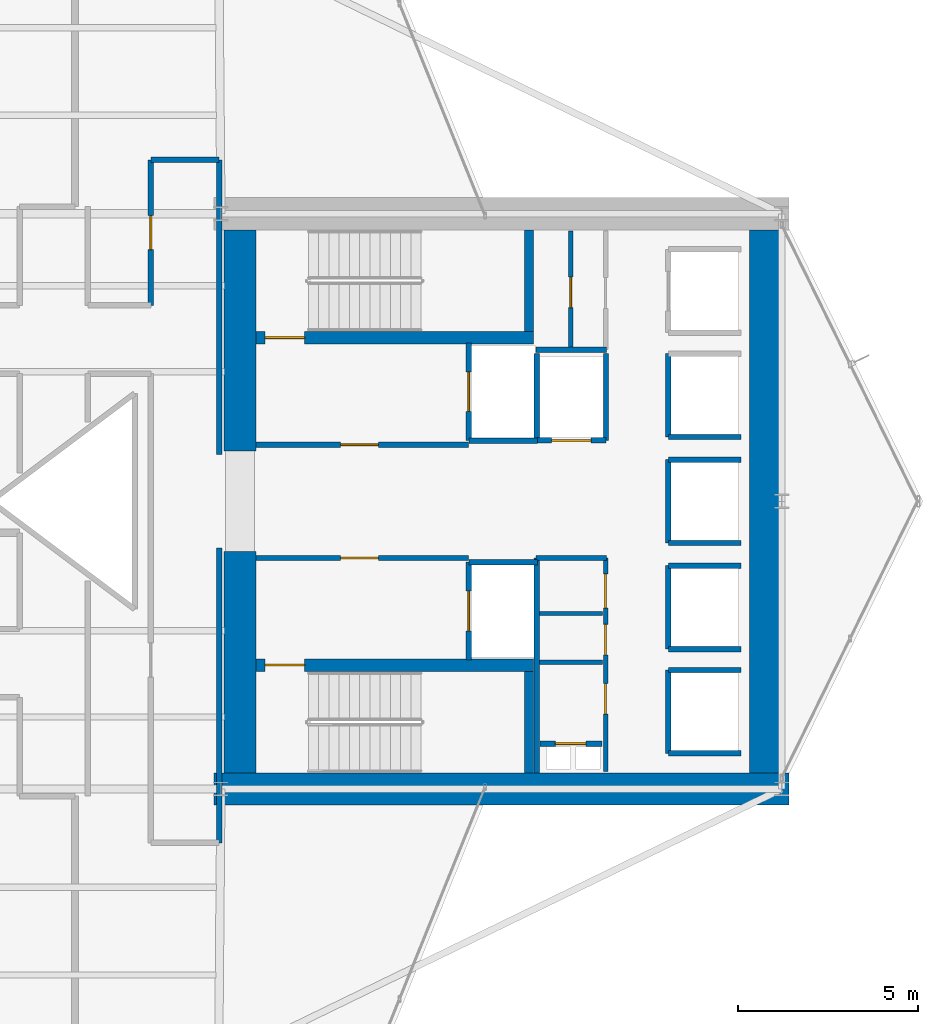
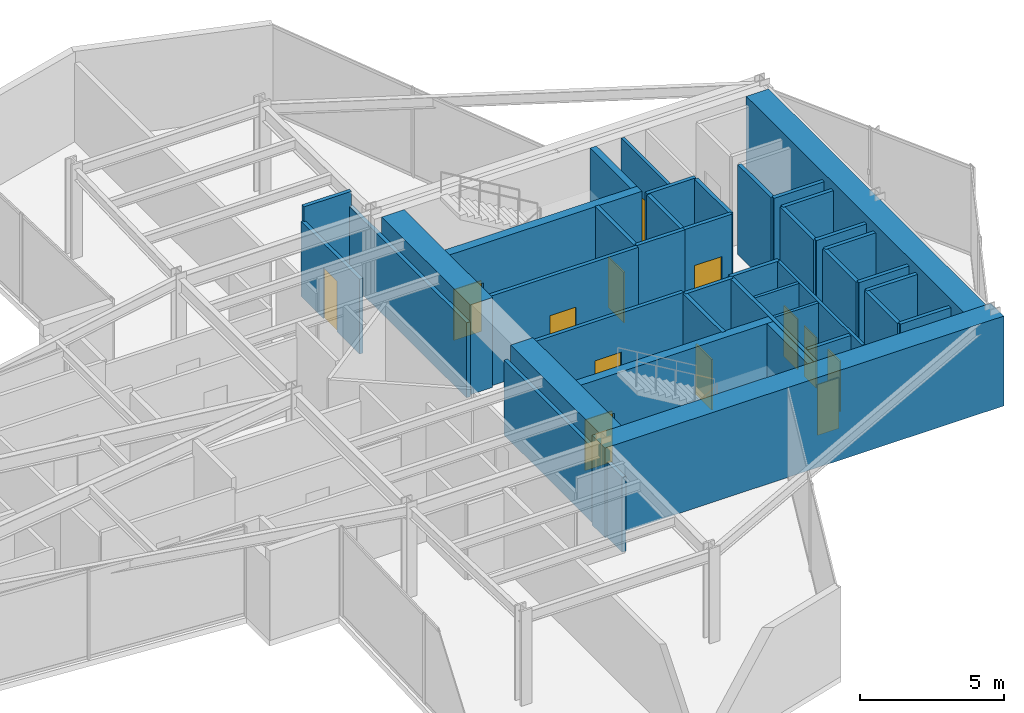
# One storey, part 28 of 30: 40 walls, 13 doors, 13 openings.
"""IFC4 building model written with IfcOpenShell, lengths in metres."""

from ifc_helpers import new_model, si_unit, direction, frame, frame_2d, origin, place, context, subcontext, project, spatial, rectangle, extrude, material, layer, layer_set, type_object, element, fill, save


model = new_model("IFC4")

# Units and contexts
model_context = context("Model", 3, precision=1e-05, world=origin(), true_north=direction((0.0, 1.0)))
body_context = subcontext(model_context, "Body", "Model", "MODEL_VIEW")
ifc_project = project(units=[si_unit("LENGTHUNIT", "METRE"), si_unit("AREAUNIT", "SQUARE_METRE"), si_unit("VOLUMEUNIT", "CUBIC_METRE"), si_unit("PLANEANGLEUNIT", "RADIAN"), si_unit("MASSUNIT", "GRAM", prefix="KILO")], contexts=[model_context])

# Site, building, storey
site_placement = place(None, origin())
site = spatial("IfcSite", under=ifc_project, at=site_placement, CompositionType="ELEMENT")
building_placement = place(site_placement, origin())
building = spatial("IfcBuilding", under=site, at=building_placement, Name="Veymaron Broadcast Tower", CompositionType="ELEMENT")
storey_placement = place(building_placement, frame((0.0, 0.0, 66.14990234375)))
storey = spatial("IfcBuildingStorey", under=building, at=storey_placement, Name="L14", CompositionType="ELEMENT", Elevation=66.14990234375)

# Wall, opening, door
ifc_material_1 = material(Name="Gypsum fireboard and steel stud framing", Category="steel")
ifc_layer_1 = layer(ifc_material_1, 0.14990234375)
ifc_layer_set_1 = layer_set([ifc_layer_1], Name="Gypsum fireboard and steel stud framing")
wall_type_1 = type_object("IfcWallType", Name="WALL-FIRE-150", PredefinedType="PARTITIONING", material=ifc_layer_set_1)
wall_1_placement = place(storey_placement, frame((39.97998046875, 25.574951171875, 0.0), z_axis=(0.0, 0.0, 1.0), x_axis=(1.0, 0.0, 0.0)))
wall_1 = element("IfcWall", 1, at=wall_1_placement, inside=storey, type_object=wall_type_1, Name="L14 partition IW-L14-FFLN-S", PredefinedType="PARTITIONING", context=body_context, shape_type="SweptSolid", body=[
    extrude(rectangle(XDim=5.89990234375, YDim=0.14990234375, at=frame_2d((2.949951171875, 0.0))), origin(), (0.0, 0.0, 1.0), 3.81005859375),
])
opening_1_placement = place(wall_1_placement, frame((2.35009765625, 0.0, 0.0)))
opening_1 = element("IfcOpeningElement", 2, at=opening_1_placement, cuts=wall_1, Name="Opening ID-FL1", PredefinedType="OPENING", context=body_context, shape_type="SweptSolid", body=[
    extrude(rectangle(XDim=1.050048828125, YDim=2.14990234375, at=frame_2d((0.52490234375, 1.074951171875))), frame((0.0, 0.0849609375, 0.0), z_axis=(0.0, -1.0, 0.0), x_axis=(1.0, 0.0, 0.0)), (0.0, 0.0, 1.0), 0.169921875),
])
ifc_material_2 = material(Name="Fire-rated painted hollow steel ASTM A653", Category="steel")
door_type_1 = type_object("IfcDoorType", Name="DOOR-FIRE-1050", OperationType="NOTDEFINED", PredefinedType="DOOR", material=ifc_material_2)
door_1_placement = place(opening_1_placement, origin())
door_1 = element("IfcDoor", 3, at=door_1_placement, inside=storey, type_object=door_type_1, Name="L14 door DR-L14-FFLN", OperationType="SINGLE_SWING_LEFT", OverallHeight=2.14990234375, OverallWidth=1.050048828125, PredefinedType="DOOR", context=body_context, shape_type="SweptSolid", body=[
    extrude(rectangle(XDim=1.050048828125, YDim=2.14990234375, at=frame_2d((0.52490234375, 1.074951171875))), frame((0.0, 0.02490234375, 0.0), z_axis=(0.0, -1.0, 0.0), x_axis=(1.0, 0.0, 0.0)), (0.0, 0.0, 1.0), 0.050048828125),
])
fill(opening_1, door_1)

wall_2_placement = place(storey_placement, frame((39.97998046875, 22.425048828125, 0.0), z_axis=(0.0, 0.0, 1.0), x_axis=(1.0, 0.0, 0.0)))
wall_2 = element("IfcWall", 4, at=wall_2_placement, inside=storey, type_object=wall_type_1, Name="L14 partition IW-L14-FFLS-N", PredefinedType="PARTITIONING", context=body_context, shape_type="SweptSolid", body=[
    extrude(rectangle(XDim=5.89990234375, YDim=0.14990234375, at=frame_2d((2.949951171875, 0.0))), origin(), (0.0, 0.0, 1.0), 3.81005859375),
])
opening_2_placement = place(wall_2_placement, frame((2.35009765625, 0.0, 0.0)))
opening_2 = element("IfcOpeningElement", 5, at=opening_2_placement, cuts=wall_2, Name="Opening ID-FL1", PredefinedType="OPENING", context=body_context, shape_type="SweptSolid", body=[
    extrude(rectangle(XDim=1.050048828125, YDim=2.14990234375, at=frame_2d((0.52490234375, 1.074951171875))), frame((0.0, 0.0849609375, 0.0), z_axis=(0.0, -1.0, 0.0), x_axis=(1.0, 0.0, 0.0)), (0.0, 0.0, 1.0), 0.169921875),
])
door_2_placement = place(opening_2_placement, frame((1.050048828125, 0.0, 0.0), z_axis=(0.0, 0.0, 1.0), x_axis=(-1.0, 0.0, 0.0)))
door_2 = element("IfcDoor", 6, at=door_2_placement, inside=storey, type_object=door_type_1, Name="L14 door DR-L14-FFLS", OperationType="SINGLE_SWING_RIGHT", OverallHeight=2.14990234375, OverallWidth=1.050048828125, PredefinedType="DOOR", context=body_context, shape_type="SweptSolid", body=[
    extrude(rectangle(XDim=1.050048828125, YDim=2.14990234375, at=frame_2d((0.52490234375, 1.074951171875))), frame((0.0, 0.02490234375, 0.0), z_axis=(0.0, -1.0, 0.0), x_axis=(1.0, 0.0, 0.0)), (0.0, 0.0, 1.0), 0.050048828125),
])
fill(opening_2, door_2)

wall_3_placement = place(storey_placement, frame((45.89501953125, 25.68994140625, 0.0), z_axis=(0.0, 0.0, 1.0), x_axis=(0.0, 1.0, 0.0)))
wall_3 = element("IfcWall", 7, at=wall_3_placement, inside=storey, type_object=wall_type_1, Name="L14 partition IW-L14-SHW-FFL-1", PredefinedType="PARTITIONING", context=body_context, shape_type="SweptSolid", body=[
    extrude(rectangle(XDim=2.719970703125, YDim=0.14990234375, at=frame_2d((1.35986328125, 0.0))), origin(), (0.0, 0.0, 1.0), 3.81005859375),
])
opening_3_placement = place(wall_3_placement, frame((0.81005859375, 0.0, 0.0)))
opening_3 = element("IfcOpeningElement", 8, at=opening_3_placement, cuts=wall_3, Name="Opening LD", PredefinedType="OPENING", context=body_context, shape_type="SweptSolid", body=[
    extrude(rectangle(XDim=1.10009765625, YDim=2.14990234375, at=frame_2d((0.550048828125, 1.074951171875))), frame((0.0, 0.0849609375, 0.0), z_axis=(0.0, -1.0, 0.0), x_axis=(1.0, 0.0, 0.0)), (0.0, 0.0, 1.0), 0.169921875),
])
ifc_material_3 = material(Name="Brushed stainless steel AISI 304", Category="steel")
door_type_2 = type_object("IfcDoorType", Name="DOOR-LIFT-1100", OperationType="DOUBLE_DOOR_SLIDING", PredefinedType="DOOR", material=ifc_material_3)
door_3_placement = place(opening_3_placement, frame((1.10009765625, 0.0, 0.0), z_axis=(0.0, 0.0, 1.0), x_axis=(-1.0, 0.0, 0.0)))
door_3 = element("IfcDoor", 9, at=door_3_placement, inside=storey, type_object=door_type_2, Name="L14 door LD-L14-FFL-1", OperationType="DOUBLE_DOOR_SLIDING", OverallHeight=2.14990234375, OverallWidth=1.10009765625, PredefinedType="DOOR", context=body_context, shape_type="SweptSolid", body=[
    extrude(rectangle(XDim=1.10009765625, YDim=2.14990234375, at=frame_2d((0.550048828125, 1.074951171875))), frame((0.0, 0.02490234375, 0.0), z_axis=(0.0, -1.0, 0.0), x_axis=(1.0, 0.0, 0.0)), (0.0, 0.0, 1.0), 0.050048828125),
])
fill(opening_3, door_3)

# Wall
wall_4_placement = place(storey_placement, frame((45.89501953125, 25.68994140625, 0.0), z_axis=(0.0, 0.0, 1.0), x_axis=(1.0, 0.0, 0.0)))
element("IfcWall", 10, at=wall_4_placement, inside=storey, type_object=wall_type_1, Name="L14 partition IW-L14-SHS-FFL-1", PredefinedType="PARTITIONING", context=body_context, shape_type="SweptSolid", body=[
    extrude(rectangle(XDim=1.9150390625, YDim=0.14990234375, at=frame_2d((0.95751953125, 0.0))), origin(), (0.0, 0.0, 1.0), 3.81005859375),
])

# Wall, opening, door
wall_5_placement = place(storey_placement, frame((45.89501953125, 19.590087890625, 0.0), z_axis=(0.0, 0.0, 1.0), x_axis=(0.0, 1.0, 0.0)))
wall_5 = element("IfcWall", 11, at=wall_5_placement, inside=storey, type_object=wall_type_1, Name="L14 partition IW-L14-SHW-FFL-2", PredefinedType="PARTITIONING", context=body_context, shape_type="SweptSolid", body=[
    extrude(rectangle(XDim=2.719970703125, YDim=0.14990234375, at=frame_2d((1.35986328125, 0.0))), origin(), (0.0, 0.0, 1.0), 3.81005859375),
])
opening_4_placement = place(wall_5_placement, frame((0.81005859375, 0.0, 0.0)))
opening_4 = element("IfcOpeningElement", 12, at=opening_4_placement, cuts=wall_5, Name="Opening LD", PredefinedType="OPENING", context=body_context, shape_type="SweptSolid", body=[
    extrude(rectangle(XDim=1.10009765625, YDim=2.14990234375, at=frame_2d((0.550048828125, 1.074951171875))), frame((0.0, 0.0849609375, 0.0), z_axis=(0.0, -1.0, 0.0), x_axis=(1.0, 0.0, 0.0)), (0.0, 0.0, 1.0), 0.169921875),
])
door_4_placement = place(opening_4_placement, frame((1.10009765625, 0.0, 0.0), z_axis=(0.0, 0.0, 1.0), x_axis=(-1.0, 0.0, 0.0)))
door_4 = element("IfcDoor", 13, at=door_4_placement, inside=storey, type_object=door_type_2, Name="L14 door LD-L14-FFL-2", OperationType="DOUBLE_DOOR_SLIDING", OverallHeight=2.14990234375, OverallWidth=1.10009765625, PredefinedType="DOOR", context=body_context, shape_type="SweptSolid", body=[
    extrude(rectangle(XDim=1.10009765625, YDim=2.14990234375, at=frame_2d((0.550048828125, 1.074951171875))), frame((0.0, 0.02490234375, 0.0), z_axis=(0.0, -1.0, 0.0), x_axis=(1.0, 0.0, 0.0)), (0.0, 0.0, 1.0), 0.050048828125),
])
fill(opening_4, door_4)

# Wall
wall_6_placement = place(storey_placement, frame((45.89501953125, 22.31005859375, 0.0), z_axis=(0.0, 0.0, 1.0), x_axis=(1.0, 0.0, 0.0)))
element("IfcWall", 14, at=wall_6_placement, inside=storey, type_object=wall_type_1, Name="L14 partition IW-L14-SHN-FFL-2", PredefinedType="PARTITIONING", context=body_context, shape_type="SweptSolid", body=[
    extrude(rectangle(XDim=1.9150390625, YDim=0.14990234375, at=frame_2d((0.95751953125, 0.0))), origin(), (0.0, 0.0, 1.0), 3.81005859375),
])

# Wall, opening, door
wall_7_placement = place(storey_placement, frame((47.7900390625, 25.695068359375, 0.0), z_axis=(0.0, 0.0, 1.0), x_axis=(1.0, 0.0, 0.0)))
wall_7 = element("IfcWall", 15, at=wall_7_placement, inside=storey, type_object=wall_type_1, Name="L14 partition IW-L14-SHS-SL-1", PredefinedType="PARTITIONING", context=body_context, shape_type="SweptSolid", body=[
    extrude(rectangle(XDim=1.919921875, YDim=0.14990234375, at=frame_2d((0.9599609375, 0.0))), origin(), (0.0, 0.0, 1.0), 3.81005859375),
])
opening_5_placement = place(wall_7_placement, frame((0.409912109375, 0.0, 0.0)))
opening_5 = element("IfcOpeningElement", 16, at=opening_5_placement, cuts=wall_7, Name="Opening LD", PredefinedType="OPENING", context=body_context, shape_type="SweptSolid", body=[
    extrude(rectangle(XDim=1.10009765625, YDim=2.14990234375, at=frame_2d((0.550048828125, 1.074951171875))), frame((0.0, 0.0849609375, 0.0), z_axis=(0.0, -1.0, 0.0), x_axis=(1.0, 0.0, 0.0)), (0.0, 0.0, 1.0), 0.169921875),
])
door_5_placement = place(opening_5_placement, frame((1.10009765625, 0.0, 0.0), z_axis=(0.0, 0.0, 1.0), x_axis=(-1.0, 0.0, 0.0)))
door_5 = element("IfcDoor", 17, at=door_5_placement, inside=storey, type_object=door_type_2, Name="L14 door LD-L14-SL-1", OperationType="DOUBLE_DOOR_SLIDING", OverallHeight=2.14990234375, OverallWidth=1.10009765625, PredefinedType="DOOR", context=body_context, shape_type="SweptSolid", body=[
    extrude(rectangle(XDim=1.10009765625, YDim=2.14990234375, at=frame_2d((0.550048828125, 1.074951171875))), frame((0.0, 0.02490234375, 0.0), z_axis=(0.0, -1.0, 0.0), x_axis=(1.0, 0.0, 0.0)), (0.0, 0.0, 1.0), 0.050048828125),
])
fill(opening_5, door_5)

# Walls
for number, where, z_axis, x_axis, name in (
    (18, (47.7900390625, 25.695068359375, 0.0), (0.0, 0.0, 1.0), (0.0, 1.0, 0.0), "L14 partition IW-L14-SHW-SL-1"),
    (19, (49.7099609375, 25.695068359375, 0.0), (0.0, 0.0, 1.0), (0.0, 1.0, 0.0), "L14 partition IW-L14-SHE-SL-1"),
):
    element("IfcWall", number, at=place(storey_placement, frame(where, z_axis=z_axis, x_axis=x_axis)), inside=storey, type_object=wall_type_1, Name=name, PredefinedType="PARTITIONING", context=body_context, shape_type="SweptSolid", body=[
        extrude(rectangle(XDim=2.4150390625, YDim=0.14990234375, at=frame_2d((1.20751953125, 0.0))), origin(), (0.0, 0.0, 1.0), 3.81005859375),
    ])
wall_8_placement = place(storey_placement, frame((51.445068359375, 25.7900390625, 0.0), z_axis=(0.0, 0.0, 1.0), x_axis=(0.0, 1.0, 0.0)))
element("IfcWall", 20, at=wall_8_placement, inside=storey, type_object=wall_type_1, Name="L14 partition IW-L14-SHW-PM1", PredefinedType="PARTITIONING", context=body_context, shape_type="SweptSolid", body=[
    extrude(rectangle(XDim=2.320068359375, YDim=0.14990234375, at=frame_2d((1.16015625, 0.0))), origin(), (0.0, 0.0, 1.0), 3.81005859375),
])
wall_9_placement = place(storey_placement, frame((51.445068359375, 25.7900390625, 0.0), z_axis=(0.0, 0.0, 1.0), x_axis=(1.0, 0.0, 0.0)))
element("IfcWall", 21, at=wall_9_placement, inside=storey, type_object=wall_type_1, Name="L14 partition IW-L14-SHS-PM1", PredefinedType="PARTITIONING", context=body_context, shape_type="SweptSolid", body=[
    extrude(rectangle(XDim=2.014892578125, YDim=0.14990234375, at=frame_2d((1.00732421875, 0.0))), origin(), (0.0, 0.0, 1.0), 3.81005859375),
])
wall_10_placement = place(storey_placement, frame((51.445068359375, 19.889892578125, 0.0), z_axis=(0.0, 0.0, 1.0), x_axis=(0.0, 1.0, 0.0)))
element("IfcWall", 22, at=wall_10_placement, inside=storey, type_object=wall_type_1, Name="L14 partition IW-L14-SHW-PM2", PredefinedType="PARTITIONING", context=body_context, shape_type="SweptSolid", body=[
    extrude(rectangle(XDim=2.320068359375, YDim=0.14990234375, at=frame_2d((1.16015625, 0.0))), origin(), (0.0, 0.0, 1.0), 3.81005859375),
])
for number, where, z_axis, x_axis, name in (
    (23, (51.445068359375, 19.889892578125, 0.0), (0.0, 0.0, 1.0), (1.0, 0.0, 0.0), "L14 partition IW-L14-SHS-PM2"),
    (24, (51.445068359375, 22.2099609375, 0.0), (0.0, 0.0, 1.0), (1.0, 0.0, 0.0), "L14 partition IW-L14-SHN-PM2"),
):
    element("IfcWall", number, at=place(storey_placement, frame(where, z_axis=z_axis, x_axis=x_axis)), inside=storey, type_object=wall_type_1, Name=name, PredefinedType="PARTITIONING", context=body_context, shape_type="SweptSolid", body=[
        extrude(rectangle(XDim=2.014892578125, YDim=0.14990234375, at=frame_2d((1.00732421875, 0.0))), origin(), (0.0, 0.0, 1.0), 3.81005859375),
    ])
wall_11_placement = place(storey_placement, frame((51.445068359375, 22.840087890625, 0.0), z_axis=(0.0, 0.0, 1.0), x_axis=(0.0, 1.0, 0.0)))
element("IfcWall", 25, at=wall_11_placement, inside=storey, type_object=wall_type_1, Name="L14 partition IW-L14-SHW-PM3", PredefinedType="PARTITIONING", context=body_context, shape_type="SweptSolid", body=[
    extrude(rectangle(XDim=2.31982421875, YDim=0.14990234375, at=frame_2d((1.159912109375, 0.0))), origin(), (0.0, 0.0, 1.0), 3.81005859375),
])
for number, where, z_axis, x_axis, name in (
    (26, (51.445068359375, 22.840087890625, 0.0), (0.0, 0.0, 1.0), (1.0, 0.0, 0.0), "L14 partition IW-L14-SHS-PM3"),
    (27, (51.445068359375, 25.159912109375, 0.0), (0.0, 0.0, 1.0), (1.0, 0.0, 0.0), "L14 partition IW-L14-SHN-PM3"),
):
    element("IfcWall", number, at=place(storey_placement, frame(where, z_axis=z_axis, x_axis=x_axis)), inside=storey, type_object=wall_type_1, Name=name, PredefinedType="PARTITIONING", context=body_context, shape_type="SweptSolid", body=[
        extrude(rectangle(XDim=2.014892578125, YDim=0.14990234375, at=frame_2d((1.00732421875, 0.0))), origin(), (0.0, 0.0, 1.0), 3.81005859375),
    ])
wall_12_placement = place(storey_placement, frame((51.445068359375, 16.989990234375, 0.0), z_axis=(0.0, 0.0, 1.0), x_axis=(0.0, 1.0, 0.0)))
element("IfcWall", 28, at=wall_12_placement, inside=storey, type_object=wall_type_1, Name="L14 partition IW-L14-SHW-PH1", PredefinedType="PARTITIONING", context=body_context, shape_type="SweptSolid", body=[
    extrude(rectangle(XDim=2.320068359375, YDim=0.14990234375, at=frame_2d((1.16015625, 0.0))), origin(), (0.0, 0.0, 1.0), 3.81005859375),
])
for number, where, z_axis, x_axis, name in (
    (29, (51.445068359375, 16.989990234375, 0.0), (0.0, 0.0, 1.0), (1.0, 0.0, 0.0), "L14 partition IW-L14-SHS-PH1"),
    (30, (51.445068359375, 19.31005859375, 0.0), (0.0, 0.0, 1.0), (1.0, 0.0, 0.0), "L14 partition IW-L14-SHN-PH1"),
):
    element("IfcWall", number, at=place(storey_placement, frame(where, z_axis=z_axis, x_axis=x_axis)), inside=storey, type_object=wall_type_1, Name=name, PredefinedType="PARTITIONING", context=body_context, shape_type="SweptSolid", body=[
        extrude(rectangle(XDim=2.014892578125, YDim=0.14990234375, at=frame_2d((1.00732421875, 0.0))), origin(), (0.0, 0.0, 1.0), 3.81005859375),
    ])

# Wall, opening, door
wall_13_placement = place(storey_placement, frame((47.8798828125, 17.260009765625, 0.0), z_axis=(0.0, 0.0, 1.0), x_axis=(1.0, 0.0, 0.0)))
wall_13 = element("IfcWall", 31, at=wall_13_placement, inside=storey, type_object=wall_type_1, Name="L14 partition IW-L14-RIS-N", PredefinedType="PARTITIONING", context=body_context, shape_type="SweptSolid", body=[
    extrude(rectangle(XDim=1.72021484375, YDim=0.14990234375, at=frame_2d((0.860107421875, 0.0))), origin(), (0.0, 0.0, 1.0), 3.81005859375),
])
opening_6_placement = place(wall_13_placement, frame((0.419921875, 0.0, 0.0)))
opening_6 = element("IfcOpeningElement", 32, at=opening_6_placement, cuts=wall_13, Name="Opening ID-RS1", PredefinedType="OPENING", context=body_context, shape_type="SweptSolid", body=[
    extrude(rectangle(XDim=0.85009765625, YDim=2.14990234375, at=frame_2d((0.425048828125, 1.074951171875))), frame((0.0, 0.0849609375, 0.0), z_axis=(0.0, -1.0, 0.0), x_axis=(1.0, 0.0, 0.0)), (0.0, 0.0, 1.0), 0.169921875),
])
ifc_material_4 = material(Name="Fire-rated powder-coated steel riser leaf", Category="steel")
door_type_3 = type_object("IfcDoorType", Name="DOOR-RIS-850", OperationType="NOTDEFINED", PredefinedType="TRAPDOOR", material=ifc_material_4)
door_6_placement = place(opening_6_placement, origin())
door_6 = element("IfcDoor", 33, at=door_6_placement, inside=storey, type_object=door_type_3, Name="L14 door DR-L14-RIS", OperationType="SINGLE_SWING_LEFT", OverallHeight=2.14990234375, OverallWidth=0.85009765625, PredefinedType="TRAPDOOR", context=body_context, shape_type="SweptSolid", body=[
    extrude(rectangle(XDim=0.85009765625, YDim=2.14990234375, at=frame_2d((0.425048828125, 1.074951171875))), frame((0.0, 0.02490234375, 0.0), z_axis=(0.0, -1.0, 0.0), x_axis=(1.0, 0.0, 0.0)), (0.0, 0.0, 1.0), 0.050048828125),
])
fill(opening_6, door_6)

# Walls
wall_14_placement = place(storey_placement, frame((47.760009765625, 22.425048828125, 0.0), z_axis=(0.0, 0.0, 1.0), x_axis=(1.0, 0.0, 0.0)))
element("IfcWall", 34, at=wall_14_placement, inside=storey, type_object=wall_type_1, Name="L14 partition IW-L14-SM-N", PredefinedType="PARTITIONING", context=body_context, shape_type="SweptSolid", body=[
    extrude(rectangle(XDim=1.9599609375, YDim=0.14990234375, at=frame_2d((0.97998046875, 0.0))), origin(), (0.0, 0.0, 1.0), 3.81005859375),
])
wall_15_placement = place(storey_placement, frame((47.780029296875, 16.449951171875, 0.0), z_axis=(0.0, 0.0, 1.0), x_axis=(0.0, 1.0, 0.0)))
element("IfcWall", 35, at=wall_15_placement, inside=storey, type_object=wall_type_1, Name="L14 partition IW-L14-SM-W", PredefinedType="PARTITIONING", context=body_context, shape_type="SweptSolid", body=[
    extrude(rectangle(XDim=5.97509765625, YDim=0.14990234375, at=frame_2d((2.987548828125, 0.0))), origin(), (0.0, 0.0, 1.0), 3.81005859375),
])
wall_16_placement = place(storey_placement, frame((47.760009765625, 28.219970703125, 0.0), z_axis=(0.0, 0.0, 1.0), x_axis=(1.0, 0.0, 0.0)))
element("IfcWall", 36, at=wall_16_placement, inside=storey, type_object=wall_type_1, Name="L14 partition IW-L14-NM-S", PredefinedType="PARTITIONING", context=body_context, shape_type="SweptSolid", body=[
    extrude(rectangle(XDim=1.9599609375, YDim=0.14990234375, at=frame_2d((0.97998046875, 0.0))), origin(), (0.0, 0.0, 1.0), 3.81005859375),
])

# Wall, opening, door
wall_17_placement = place(storey_placement, frame((37.050048828125, 29.449951171875, 0.0), z_axis=(0.0, 0.0, 1.0), x_axis=(0.0, 1.0, 0.0)))
wall_17 = element("IfcWall", 37, at=wall_17_placement, inside=storey, type_object=wall_type_1, Name="L14 partition IW-L14-P30", PredefinedType="PARTITIONING", context=body_context, shape_type="SweptSolid", body=[
    extrude(rectangle(XDim=4.050048828125, YDim=0.14990234375, at=frame_2d((2.02490234375, 0.0))), origin(), (0.0, 0.0, 1.0), 3.18115234375),
])
opening_7_placement = place(wall_17_placement, frame((1.550048828125, 0.0, 0.0)))
opening_7 = element("IfcOpeningElement", 38, at=opening_7_placement, cuts=wall_17, Name="Opening ID-RM1", PredefinedType="OPENING", context=body_context, shape_type="SweptSolid", body=[
    extrude(rectangle(XDim=0.949951171875, YDim=2.14990234375, at=frame_2d((0.47509765625, 1.074951171875))), frame((0.0, 0.0849609375, 0.0), z_axis=(0.0, -1.0, 0.0), x_axis=(1.0, 0.0, 0.0)), (0.0, 0.0, 1.0), 0.169921875),
])
ifc_material_5 = material(Name="Acoustic solid-core European oak veneer timber", Category="wood")
door_type_4 = type_object("IfcDoorType", Name="DOOR-INT-950", OperationType="NOTDEFINED", PredefinedType="DOOR", material=ifc_material_5)
door_7_placement = place(opening_7_placement, origin())
door_7 = element("IfcDoor", 39, at=door_7_placement, inside=storey, type_object=door_type_4, Name="L14 door DR-L14-P30", OperationType="SINGLE_SWING_LEFT", OverallHeight=2.14990234375, OverallWidth=0.949951171875, PredefinedType="DOOR", context=body_context, shape_type="SweptSolid", body=[
    extrude(rectangle(XDim=0.949951171875, YDim=2.14990234375, at=frame_2d((0.47509765625, 1.074951171875))), frame((0.0, 0.02490234375, 0.0), z_axis=(0.0, -1.0, 0.0), x_axis=(1.0, 0.0, 0.0)), (0.0, 0.0, 1.0), 0.050048828125),
])
fill(opening_7, door_7)

# Walls
for number, where, z_axis, x_axis, name in (
    (40, (38.949951171875, 14.5, 0.0), (0.0, 0.0, 1.0), (0.0, 1.0, 0.0), "L14 partition IW-L14-P05"),
    (41, (38.949951171875, 25.300048828125, 0.0), (0.0, 0.0, 1.0), (0.0, 1.0, 0.0), "L14 partition IW-L14-P29"),
):
    element("IfcWall", number, at=place(storey_placement, frame(where, z_axis=z_axis, x_axis=x_axis)), inside=storey, type_object=wall_type_1, Name=name, PredefinedType="PARTITIONING", context=body_context, shape_type="SweptSolid", body=[
        extrude(rectangle(XDim=8.199951171875, YDim=0.14990234375, at=frame_2d((4.10009765625, 0.0))), origin(), (0.0, 0.0, 1.0), 3.18115234375),
    ])
wall_18_placement = place(storey_placement, frame((37.050048828125, 33.5, 0.0), z_axis=(0.0, 0.0, 1.0), x_axis=(1.0, 0.0, 0.0)))
element("IfcWall", 42, at=wall_18_placement, inside=storey, type_object=wall_type_1, Name="L14 partition IW-L14-P32", PredefinedType="PARTITIONING", context=body_context, shape_type="SweptSolid", body=[
    extrude(rectangle(XDim=1.89990234375, YDim=0.14990234375, at=frame_2d((0.949951171875, 0.0))), origin(), (0.0, 0.0, 1.0), 3.81005859375),
])
ifc_material_6 = material(Name="Acoustic gypsum board and galvanized stud", Category="gypsum")
ifc_layer_2 = layer(ifc_material_6, 0.1201171875)
ifc_layer_set_2 = layer_set([ifc_layer_2], Name="Acoustic gypsum board and galvanized stud")
wall_type_2 = type_object("IfcWallType", Name="WALL-PART-120", PredefinedType="PARTITIONING", material=ifc_layer_set_2)
for number, where, z_axis, x_axis, name in (
    (43, (47.860107421875, 19.52001953125, 0.0), (0.0, 0.0, 1.0), (1.0, 0.0, 0.0), "L14 partition IW-L14-SM-D1"),
    (44, (47.860107421875, 20.8798828125, 0.0), (0.0, 0.0, 1.0), (1.0, 0.0, 0.0), "L14 partition IW-L14-SM-D2"),
):
    element("IfcWall", number, at=place(storey_placement, frame(where, z_axis=z_axis, x_axis=x_axis)), inside=storey, type_object=wall_type_2, Name=name, PredefinedType="PARTITIONING", context=body_context, shape_type="SweptSolid", body=[
        extrude(rectangle(XDim=1.760009765625, YDim=0.1201171875, at=frame_2d((0.8798828125, 0.0))), origin(), (0.0, 0.0, 1.0), 3.81005859375),
    ])

# Wall, openings, doors
wall_19_placement = place(storey_placement, frame((49.699951171875, 16.47998046875, 0.0), z_axis=(0.0, 0.0, 1.0), x_axis=(0.0, 1.0, 0.0)))
wall_19 = element("IfcWall", 45, at=wall_19_placement, inside=storey, type_object=wall_type_2, Name="L14 partition IW-L14-SM-E", PredefinedType="PARTITIONING", context=body_context, shape_type="SweptSolid", body=[
    extrude(rectangle(XDim=5.945068359375, YDim=0.1201171875, at=frame_2d((2.97265625, 0.0))), origin(), (0.0, 0.0, 1.0), 3.81005859375),
])
opening_8_placement = place(wall_19_placement, frame((1.60009765625, 0.0, 0.0)))
opening_8 = element("IfcOpeningElement", 46, at=opening_8_placement, cuts=wall_19, Name="Opening ID-WC1", PredefinedType="OPENING", context=body_context, shape_type="SweptSolid", body=[
    extrude(rectangle(XDim=0.85009765625, YDim=2.14990234375, at=frame_2d((0.425048828125, 1.074951171875))), frame((0.0, 0.070068359375, 0.0), z_axis=(0.0, -1.0, 0.0), x_axis=(1.0, 0.0, 0.0)), (0.0, 0.0, 1.0), 0.14013671875),
])
opening_9_placement = place(wall_19_placement, frame((3.25, 0.0, 0.0)))
opening_9 = element("IfcOpeningElement", 47, at=opening_9_placement, cuts=wall_19, Name="Opening ID-WC1", PredefinedType="OPENING", context=body_context, shape_type="SweptSolid", body=[
    extrude(rectangle(XDim=0.85009765625, YDim=2.14990234375, at=frame_2d((0.425048828125, 1.074951171875))), frame((0.0, 0.070068359375, 0.0), z_axis=(0.0, -1.0, 0.0), x_axis=(1.0, 0.0, 0.0)), (0.0, 0.0, 1.0), 0.14013671875),
])
opening_10_placement = place(wall_19_placement, frame((4.550048828125, 0.0, 0.0)))
opening_10 = element("IfcOpeningElement", 48, at=opening_10_placement, cuts=wall_19, Name="Opening ID-RM1", PredefinedType="OPENING", context=body_context, shape_type="SweptSolid", body=[
    extrude(rectangle(XDim=0.949951171875, YDim=2.14990234375, at=frame_2d((0.47509765625, 1.074951171875))), frame((0.0, 0.070068359375, 0.0), z_axis=(0.0, -1.0, 0.0), x_axis=(1.0, 0.0, 0.0)), (0.0, 0.0, 1.0), 0.14013671875),
])
ifc_material_7 = material(Name="Moisture-resistant high-pressure laminate timber", Category="wood")
door_type_5 = type_object("IfcDoorType", Name="DOOR-INT-850", OperationType="NOTDEFINED", PredefinedType="DOOR", material=ifc_material_7)
door_8_placement = place(opening_8_placement, frame((0.85009765625, 0.0, 0.0), z_axis=(0.0, 0.0, 1.0), x_axis=(-1.0, 0.0, 0.0)))
door_8 = element("IfcDoor", 49, at=door_8_placement, inside=storey, type_object=door_type_5, Name="L14 door DR-L14-JST", OperationType="SINGLE_SWING_LEFT", OverallHeight=2.14990234375, OverallWidth=0.85009765625, PredefinedType="DOOR", context=body_context, shape_type="SweptSolid", body=[
    extrude(rectangle(XDim=0.85009765625, YDim=2.14990234375, at=frame_2d((0.425048828125, 1.074951171875))), frame((0.0, 0.02490234375, 0.0), z_axis=(0.0, -1.0, 0.0), x_axis=(1.0, 0.0, 0.0)), (0.0, 0.0, 1.0), 0.050048828125),
])
fill(opening_8, door_8)
door_9_placement = place(opening_9_placement, frame((0.85009765625, 0.0, 0.0), z_axis=(0.0, 0.0, 1.0), x_axis=(-1.0, 0.0, 0.0)))
door_9 = element("IfcDoor", 50, at=door_9_placement, inside=storey, type_object=door_type_5, Name="L14 door DR-L14-SWC", OperationType="SINGLE_SWING_RIGHT", OverallHeight=2.14990234375, OverallWidth=0.85009765625, PredefinedType="DOOR", context=body_context, shape_type="SweptSolid", body=[
    extrude(rectangle(XDim=0.85009765625, YDim=2.14990234375, at=frame_2d((0.425048828125, 1.074951171875))), frame((0.0, 0.02490234375, 0.0), z_axis=(0.0, -1.0, 0.0), x_axis=(1.0, 0.0, 0.0)), (0.0, 0.0, 1.0), 0.050048828125),
])
fill(opening_9, door_9)
door_10_placement = place(opening_10_placement, frame((0.949951171875, 0.0, 0.0), z_axis=(0.0, 0.0, 1.0), x_axis=(-1.0, 0.0, 0.0)))
door_10 = element("IfcDoor", 51, at=door_10_placement, inside=storey, type_object=door_type_4, Name="L14 door DR-L14-AWC", OperationType="SINGLE_SWING_LEFT", OverallHeight=2.14990234375, OverallWidth=0.949951171875, PredefinedType="DOOR", context=body_context, shape_type="SweptSolid", body=[
    extrude(rectangle(XDim=0.949951171875, YDim=2.14990234375, at=frame_2d((0.47509765625, 1.074951171875))), frame((0.0, 0.02490234375, 0.0), z_axis=(0.0, -1.0, 0.0), x_axis=(1.0, 0.0, 0.0)), (0.0, 0.0, 1.0), 0.050048828125),
])
fill(opening_10, door_10)

# Wall, opening, door
wall_20_placement = place(storey_placement, frame((48.72998046875, 28.239990234375, 0.0), z_axis=(0.0, 0.0, 1.0), x_axis=(0.0, 1.0, 0.0)))
wall_20 = element("IfcWall", 52, at=wall_20_placement, inside=storey, type_object=wall_type_2, Name="L14 partition IW-L14-NM-VX", PredefinedType="PARTITIONING", context=body_context, shape_type="SweptSolid", body=[
    extrude(rectangle(XDim=3.280029296875, YDim=0.1201171875, at=frame_2d((1.64013671875, 0.0))), origin(), (0.0, 0.0, 1.0), 3.81005859375),
])
opening_11_placement = place(wall_20_placement, frame((1.14990234375, 0.0, 0.0)))
opening_11 = element("IfcOpeningElement", 53, at=opening_11_placement, cuts=wall_20, Name="Opening ID-WC1", PredefinedType="OPENING", context=body_context, shape_type="SweptSolid", body=[
    extrude(rectangle(XDim=0.85009765625, YDim=2.14990234375, at=frame_2d((0.425048828125, 1.074951171875))), frame((0.0, 0.070068359375, 0.0), z_axis=(0.0, -1.0, 0.0), x_axis=(1.0, 0.0, 0.0)), (0.0, 0.0, 1.0), 0.14013671875),
])
door_11_placement = place(opening_11_placement, frame((0.85009765625, 0.0, 0.0), z_axis=(0.0, 0.0, 1.0), x_axis=(-1.0, 0.0, 0.0)))
door_11 = element("IfcDoor", 54, at=door_11_placement, inside=storey, type_object=door_type_5, Name="L14 door DR-L14-NMB", OperationType="SINGLE_SWING_LEFT", OverallHeight=2.14990234375, OverallWidth=0.85009765625, PredefinedType="DOOR", context=body_context, shape_type="SweptSolid", body=[
    extrude(rectangle(XDim=0.85009765625, YDim=2.14990234375, at=frame_2d((0.425048828125, 1.074951171875))), frame((0.0, 0.02490234375, 0.0), z_axis=(0.0, -1.0, 0.0), x_axis=(1.0, 0.0, 0.0)), (0.0, 0.0, 1.0), 0.050048828125),
])
fill(opening_11, door_11)

# Walls
ifc_material_8 = material(Name="Concrete C50/60", Category="concrete")
ifc_layer_3 = layer(ifc_material_8, 0.25)
ifc_layer_set_3 = layer_set([ifc_layer_3], Name="Concrete C50/60")
wall_type_3 = type_object("IfcWallType", Name="WALL-SHEAR-250", PredefinedType="SHEAR", material=ifc_layer_set_3)
for number, where, z_axis, x_axis, name in (
    (55, (47.56494140625, 28.72998046875, 0.0), (0.0, 0.0, 1.0), (0.0, 1.0, 0.0), "L14 Core Wall north stair east shear"),
    (56, (47.56494140625, 16.449951171875, 0.0), (0.0, 0.0, 1.0), (0.0, 1.0, 0.0), "L14 Core Wall south stair east shear"),
):
    element("IfcWall", number, at=place(storey_placement, frame(where, z_axis=z_axis, x_axis=x_axis)), inside=storey, type_object=wall_type_3, Name=name, PredefinedType="SHEAR", context=body_context, shape_type="SweptSolid", body=[
        extrude(rectangle(XDim=2.820068359375, YDim=0.25, at=frame_2d((1.41015625, 0.0))), origin(), (0.0, 0.0, 1.0), 3.81005859375),
    ])

# Wall, opening, door
ifc_layer_4 = layer(ifc_material_8, 0.35009765625)
ifc_layer_set_4 = layer_set([ifc_layer_4], Name="Concrete C50/60")
wall_type_4 = type_object("IfcWallType", Name="WALL-SHEAR-350", PredefinedType="SHEAR", material=ifc_layer_set_4)
wall_21_placement = place(storey_placement, frame((39.97998046875, 28.554931640625, 0.0), z_axis=(0.0, 0.0, 1.0), x_axis=(1.0, 0.0, 0.0)))
wall_21 = element("IfcWall", 57, at=wall_21_placement, inside=storey, type_object=wall_type_4, Name="L14 Core Wall north stair spine", PredefinedType="SHEAR", context=body_context, shape_type="SweptSolid", body=[
    extrude(rectangle(XDim=7.7099609375, YDim=0.35009765625, at=frame_2d((3.85498046875, 0.0))), origin(), (0.0, 0.0, 1.0), 3.81005859375),
])
opening_12_placement = place(wall_21_placement, frame((0.25, 0.0, 0.0)))
opening_12 = element("IfcOpeningElement", 58, at=opening_12_placement, cuts=wall_21, Name="Opening ID-ST1", PredefinedType="OPENING", context=body_context, shape_type="SweptSolid", body=[
    extrude(rectangle(XDim=1.10009765625, YDim=2.14990234375, at=frame_2d((0.550048828125, 1.074951171875))), frame((0.0, 0.18505859375, 0.0), z_axis=(0.0, -1.0, 0.0), x_axis=(1.0, 0.0, 0.0)), (0.0, 0.0, 1.0), 0.3701171875),
])
door_type_6 = type_object("IfcDoorType", Name="DOOR-STAIR-1100", OperationType="NOTDEFINED", PredefinedType="DOOR", material=ifc_material_2)
door_12_placement = place(opening_12_placement, origin())
door_12 = element("IfcDoor", 59, at=door_12_placement, inside=storey, type_object=door_type_6, Name="L14 exit stair ST1 fire door", OperationType="SINGLE_SWING_LEFT", OverallHeight=2.14990234375, OverallWidth=1.10009765625, PredefinedType="DOOR", context=body_context, shape_type="SweptSolid", body=[
    extrude(rectangle(XDim=1.10009765625, YDim=2.14990234375, at=frame_2d((0.550048828125, 1.074951171875))), frame((0.0, 0.02490234375, 0.0), z_axis=(0.0, -1.0, 0.0), x_axis=(1.0, 0.0, 0.0)), (0.0, 0.0, 1.0), 0.050048828125),
])
fill(opening_12, door_12)

wall_22_placement = place(storey_placement, frame((39.97998046875, 19.445068359375, 0.0), z_axis=(0.0, 0.0, 1.0), x_axis=(1.0, 0.0, 0.0)))
wall_22 = element("IfcWall", 60, at=wall_22_placement, inside=storey, type_object=wall_type_4, Name="L14 Core Wall south stair spine", PredefinedType="SHEAR", context=body_context, shape_type="SweptSolid", body=[
    extrude(rectangle(XDim=7.7099609375, YDim=0.35009765625, at=frame_2d((3.85498046875, 0.0))), origin(), (0.0, 0.0, 1.0), 3.81005859375),
])
opening_13_placement = place(wall_22_placement, frame((0.25, 0.0, 0.0)))
opening_13 = element("IfcOpeningElement", 61, at=opening_13_placement, cuts=wall_22, Name="Opening ID-ST1", PredefinedType="OPENING", context=body_context, shape_type="SweptSolid", body=[
    extrude(rectangle(XDim=1.10009765625, YDim=2.14990234375, at=frame_2d((0.550048828125, 1.074951171875))), frame((0.0, 0.18505859375, 0.0), z_axis=(0.0, -1.0, 0.0), x_axis=(1.0, 0.0, 0.0)), (0.0, 0.0, 1.0), 0.3701171875),
])
door_13_placement = place(opening_13_placement, frame((1.10009765625, 0.0, 0.0), z_axis=(0.0, 0.0, 1.0), x_axis=(-1.0, 0.0, 0.0)))
door_13 = element("IfcDoor", 62, at=door_13_placement, inside=storey, type_object=door_type_6, Name="L14 exit stair ST2 fire door", OperationType="SINGLE_SWING_RIGHT", OverallHeight=2.14990234375, OverallWidth=1.10009765625, PredefinedType="DOOR", context=body_context, shape_type="SweptSolid", body=[
    extrude(rectangle(XDim=1.10009765625, YDim=2.14990234375, at=frame_2d((0.550048828125, 1.074951171875))), frame((0.0, 0.02490234375, 0.0), z_axis=(0.0, -1.0, 0.0), x_axis=(1.0, 0.0, 0.0)), (0.0, 0.0, 1.0), 0.050048828125),
])
fill(opening_13, door_13)

# Walls
ifc_material_9 = material(Name="Concrete C70/85", Category="concrete")
ifc_layer_5 = layer(ifc_material_9, 0.89990234375)
ifc_layer_set_5 = layer_set([ifc_layer_5], Name="Concrete C70/85")
wall_type_5 = type_object("IfcWallType", Name="WALL-SHEAR-900", PredefinedType="SHEAR", material=ifc_layer_set_5)
wall_23_placement = place(storey_placement, frame((38.800048828125, 16.0, 0.0), z_axis=(0.0, 0.0, 1.0), x_axis=(1.0, 0.0, 0.0)))
element("IfcWall", 63, at=wall_23_placement, inside=storey, type_object=wall_type_5, Name="L14 Core Wall south shear", PredefinedType="SHEAR", context=body_context, shape_type="SweptSolid", body=[
    extrude(rectangle(XDim=16.0, YDim=0.89990234375, at=frame_2d((8.0, 0.0))), origin(), (0.0, 0.0, 1.0), 3.81005859375),
])
for number, where, z_axis, x_axis, name in (
    (64, (39.530029296875, 16.449951171875, 0.0), (0.0, 0.0, 1.0), (0.0, 1.0, 0.0), "L14 Core Wall west-south shear"),
    (65, (39.530029296875, 25.39990234375, 0.0), (0.0, 0.0, 1.0), (0.0, 1.0, 0.0), "L14 Core Wall west-north shear"),
):
    element("IfcWall", number, at=place(storey_placement, frame(where, z_axis=z_axis, x_axis=x_axis)), inside=storey, type_object=wall_type_5, Name=name, PredefinedType="SHEAR", context=body_context, shape_type="SweptSolid", body=[
        extrude(rectangle(XDim=6.150146484375, YDim=0.89990234375, at=frame_2d((3.0751953125, 0.0))), origin(), (0.0, 0.0, 1.0), 3.81005859375),
    ])
wall_24_placement = place(storey_placement, frame((54.14990234375, 16.449951171875, 0.0), z_axis=(0.0, 0.0, 1.0), x_axis=(0.0, 1.0, 0.0)))
element("IfcWall", 66, at=wall_24_placement, inside=storey, type_object=wall_type_5, Name="L14 Core Wall east shear", PredefinedType="SHEAR", context=body_context, shape_type="SweptSolid", body=[
    extrude(rectangle(XDim=15.10009765625, YDim=0.89990234375, at=frame_2d((7.550048828125, 0.0))), origin(), (0.0, 0.0, 1.0), 3.81005859375),
])

save(model, "model.ifc")
